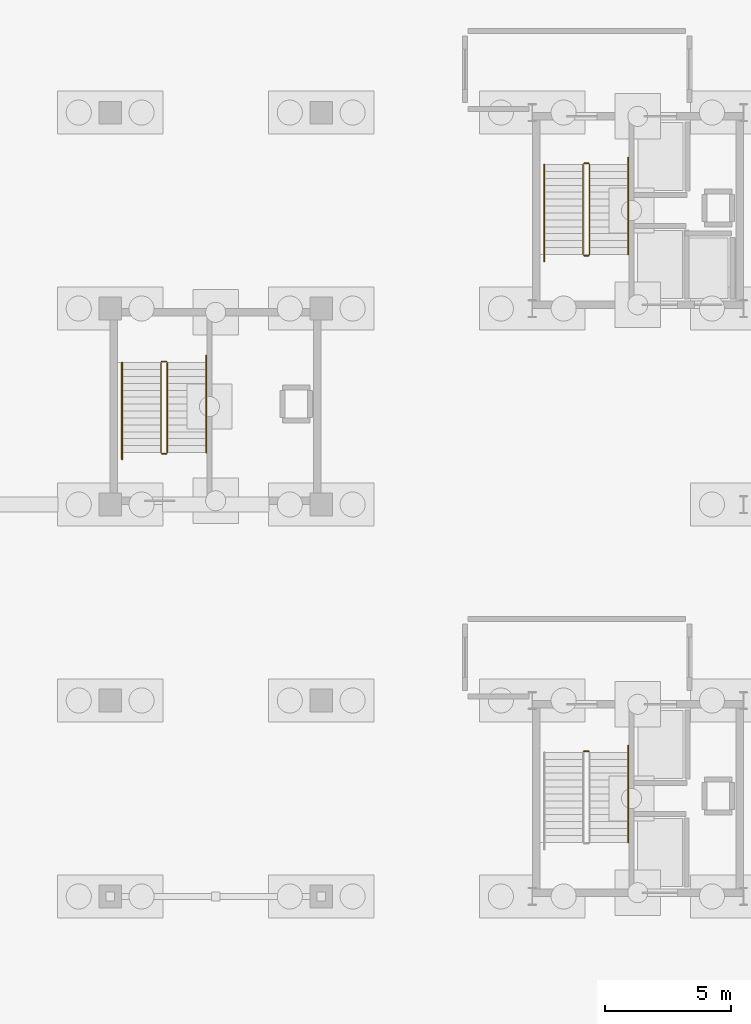
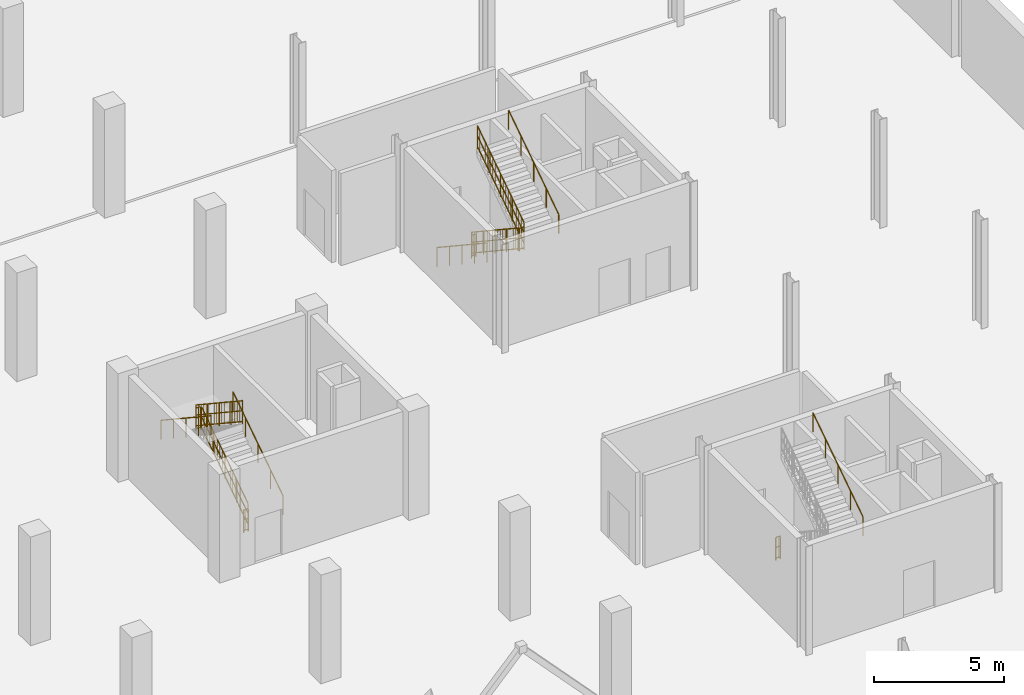
# One storey, part 47 of 48: 14 railings.
"""IFC4 building model written with IfcOpenShell, lengths in metres."""

from ifc_helpers import new_model, si_unit, direction, frame, origin, origin_2d, place, context, subcontext, project, spatial, circle, extrude, material, layer, layer_set, type_object, element, save


model = new_model("IFC4")

# Units and contexts
model_context = context("Model", 3, precision=1e-05, world=origin(), true_north=direction((0.0, 1.0)))
body_context = subcontext(model_context, "Body", "Model", "MODEL_VIEW")
ifc_project = project(units=[si_unit("LENGTHUNIT", "METRE"), si_unit("AREAUNIT", "SQUARE_METRE"), si_unit("VOLUMEUNIT", "CUBIC_METRE"), si_unit("PLANEANGLEUNIT", "RADIAN"), si_unit("MASSUNIT", "GRAM", prefix="KILO")], contexts=[model_context])

# Site, building, storey
site_placement = place(None, origin())
site = spatial("IfcSite", under=ifc_project, at=site_placement, CompositionType="ELEMENT")
building_placement = place(site_placement, origin())
building = spatial("IfcBuilding", under=site, at=building_placement, Name="Nabrawat Pavilion Hospital", CompositionType="ELEMENT")
storey_placement = place(building_placement, frame((0.0, 0.0, -5.10009765625)))
storey = spatial("IfcBuildingStorey", under=building, at=storey_placement, Name="B1", CompositionType="ELEMENT", Elevation=-5.10009765625)

# Railings
ifc_material = material(Name="Stainless Steel 316", Category="steel")
ifc_layer_1 = layer(ifc_material, 0.050048828125, Name="Stainless Steel 316")
ifc_layer_set_1 = layer_set([ifc_layer_1], Name="Stainless Steel 316")
railing_type_1 = type_object("IfcRailingType", Name="Stair Open-Well Safety Guardrail 1100", PredefinedType="GUARDRAIL", material=ifc_layer_set_1)
railing_1_placement = place(storey_placement, frame((170.050048828125, 52.580078125, 0.0)))
element("IfcRailing", 1, at=railing_1_placement, inside=storey, type_object=railing_type_1, Name="B1 ST-05 stair guard 4", PredefinedType="GUARDRAIL", context=body_context, shape_type="SweptSolid", body=[
    extrude(circle(Radius=0.02392578125, at=origin_2d()), frame((0.0, 0.0, 1.076171875), z_axis=(1.0, 0.0, 0.0), x_axis=(0.0, 1.0, 0.0)), (0.0, 0.0, 1.0), 0.199951171875),
    extrude(circle(Radius=0.02392578125, at=origin_2d()), frame((0.0, 0.0, 0.10009765625), z_axis=(1.0, 0.0, 0.0), x_axis=(0.0, 1.0, 0.0)), (0.0, 0.0, 1.0), 0.199951171875),
    extrude(circle(Radius=0.02392578125, at=origin_2d()), frame((0.0, 0.0, 0.60498046875), z_axis=(1.0, 0.0, 0.0), x_axis=(0.0, 1.0, 0.0)), (0.0, 0.0, 1.0), 0.199951171875),
    extrude(circle(Radius=0.008056640625, at=origin_2d()), frame((0.10009765625, 0.0, 0.10009765625)), (0.0, 0.0, 1.0), 0.951904296875),
    extrude(circle(Radius=0.02099609375, at=origin_2d()), origin(), (0.0, 0.0, 1.0), 1.052001953125),
    extrude(circle(Radius=0.02099609375, at=origin_2d()), frame((0.199951171875, 0.0, 0.0)), (0.0, 0.0, 1.0), 1.052001953125),
])
railing_2_placement = place(storey_placement, frame((170.02490234375, 75.929931640625, 0.18212890625)))
element("IfcRailing", 2, at=railing_2_placement, inside=storey, type_object=railing_type_1, Name="B1 ST-06 stair guard 1", PredefinedType="GUARDRAIL", context=body_context, shape_type="SweptSolid", body=[
    extrude(circle(Radius=0.02392578125, at=origin_2d()), frame((0.0, 0.0, 1.076171875), z_axis=(0.0, -0.833702089047, 0.552214475289), x_axis=(1.0, 0.0, 0.0)), (0.0, 0.0, 1.0), 4.2880859375),
    extrude(circle(Radius=0.02392578125, at=origin_2d()), frame((0.0, 0.0, 0.10009765625), z_axis=(0.0, -0.833702089047, 0.552214475289), x_axis=(1.0, 0.0, 0.0)), (0.0, 0.0, 1.0), 4.2880859375),
    extrude(circle(Radius=0.02392578125, at=origin_2d()), frame((0.0, 0.0, 0.60498046875), z_axis=(0.0, -0.833702089047, 0.552214475289), x_axis=(1.0, 0.0, 0.0)), (0.0, 0.0, 1.0), 4.2880859375),
    extrude(circle(Radius=0.008056640625, at=origin_2d()), frame((0.0, -0.19873046875, 0.2314453125)), (0.0, 0.0, 1.0), 0.951904296875),
    extrude(circle(Radius=0.008056640625, at=origin_2d()), frame((0.0, -0.397216796875, 0.363037109375)), (0.0, 0.0, 1.0), 0.951904296875),
    extrude(circle(Radius=0.008056640625, at=origin_2d()), frame((0.0, -0.595703125, 0.49462890625)), (0.0, 0.0, 1.0), 0.951904296875),
    extrude(circle(Radius=0.008056640625, at=origin_2d()), frame((0.0, -0.79443359375, 0.626220703125)), (0.0, 0.0, 1.0), 0.951904296875),
    extrude(circle(Radius=0.008056640625, at=origin_2d()), frame((0.0, -0.9931640625, 0.7578125)), (0.0, 0.0, 1.0), 0.951904296875),
    extrude(circle(Radius=0.008056640625, at=origin_2d()), frame((0.0, -1.191650390625, 0.889404296875)), (0.0, 0.0, 1.0), 0.951904296875),
    extrude(circle(Radius=0.008056640625, at=origin_2d()), frame((0.0, -1.39013671875, 1.020751953125)), (0.0, 0.0, 1.0), 0.951904296875),
    extrude(circle(Radius=0.008056640625, at=origin_2d()), frame((0.0, -1.5888671875, 1.15234375)), (0.0, 0.0, 1.0), 0.951904296875),
    extrude(circle(Radius=0.008056640625, at=origin_2d()), frame((0.0, -1.986083984375, 1.41552734375)), (0.0, 0.0, 1.0), 0.951904296875),
    extrude(circle(Radius=0.008056640625, at=origin_2d()), frame((0.0, -2.1845703125, 1.547119140625)), (0.0, 0.0, 1.0), 0.951904296875),
    extrude(circle(Radius=0.008056640625, at=origin_2d()), frame((0.0, -2.38330078125, 1.6787109375)), (0.0, 0.0, 1.0), 0.951904296875),
    extrude(circle(Radius=0.008056640625, at=origin_2d()), frame((0.0, -2.58203125, 1.81005859375)), (0.0, 0.0, 1.0), 0.951904296875),
    extrude(circle(Radius=0.008056640625, at=origin_2d()), frame((0.0, -2.780517578125, 1.941650390625)), (0.0, 0.0, 1.0), 0.951904296875),
    extrude(circle(Radius=0.008056640625, at=origin_2d()), frame((0.0, -2.97900390625, 2.0732421875)), (0.0, 0.0, 1.0), 0.951904296875),
    extrude(circle(Radius=0.008056640625, at=origin_2d()), frame((0.0, -3.177734375, 2.204833984375)), (0.0, 0.0, 1.0), 0.951904296875),
    extrude(circle(Radius=0.008056640625, at=origin_2d()), frame((0.0, -3.37646484375, 2.33642578125)), (0.0, 0.0, 1.0), 0.951904296875),
    extrude(circle(Radius=0.02099609375, at=origin_2d()), origin(), (0.0, 0.0, 1.0), 1.052001953125),
    extrude(circle(Radius=0.02099609375, at=origin_2d()), frame((0.0, -0.893798828125, 0.592041015625)), (0.0, 0.0, 1.0), 1.052001953125),
    extrude(circle(Radius=0.02099609375, at=origin_2d()), frame((0.0, -1.78759765625, 1.18408203125)), (0.0, 0.0, 1.0), 1.052001953125),
    extrude(circle(Radius=0.02099609375, at=origin_2d()), frame((0.0, -2.68115234375, 1.77587890625)), (0.0, 0.0, 1.0), 1.052001953125),
    extrude(circle(Radius=0.02099609375, at=origin_2d()), frame((0.0, -3.574951171875, 2.367919921875)), (0.0, 0.0, 1.0), 1.052001953125),
])
railing_3_placement = place(storey_placement, frame((170.050048828125, 72.304931640625, 2.550048828125)))
element("IfcRailing", 3, at=railing_3_placement, inside=storey, type_object=railing_type_1, Name="B1 ST-06 stair guard 2", PredefinedType="GUARDRAIL", context=body_context, shape_type="SweptSolid", body=[
    extrude(circle(Radius=0.02392578125, at=origin_2d()), frame((0.0, 0.0, 1.076171875), z_axis=(1.0, 0.0, 0.0), x_axis=(0.0, 1.0, 0.0)), (0.0, 0.0, 1.0), 0.199951171875),
    extrude(circle(Radius=0.02392578125, at=origin_2d()), frame((0.0, 0.0, 0.10009765625), z_axis=(1.0, 0.0, 0.0), x_axis=(0.0, 1.0, 0.0)), (0.0, 0.0, 1.0), 0.199951171875),
    extrude(circle(Radius=0.02392578125, at=origin_2d()), frame((0.0, 0.0, 0.60498046875), z_axis=(1.0, 0.0, 0.0), x_axis=(0.0, 1.0, 0.0)), (0.0, 0.0, 1.0), 0.199951171875),
    extrude(circle(Radius=0.008056640625, at=origin_2d()), frame((0.10009765625, 0.0, 0.10009765625)), (0.0, 0.0, 1.0), 0.951904296875),
    extrude(circle(Radius=0.02099609375, at=origin_2d()), origin(), (0.0, 0.0, 1.0), 1.052001953125),
    extrude(circle(Radius=0.02099609375, at=origin_2d()), frame((0.199951171875, 0.0, 0.0)), (0.0, 0.0, 1.0), 1.052001953125),
])
railing_4_placement = place(storey_placement, frame((170.27490234375, 72.35498046875, 2.732177734375)))
element("IfcRailing", 4, at=railing_4_placement, inside=storey, type_object=railing_type_1, Name="B1 ST-06 stair guard 3", PredefinedType="GUARDRAIL", context=body_context, shape_type="SweptSolid", body=[
    extrude(circle(Radius=0.02392578125, at=origin_2d()), frame((0.0, 0.0, 1.076171875), z_axis=(0.0, 0.833702089047, 0.552214475289), x_axis=(-1.0, 0.0, 0.0)), (0.0, 0.0, 1.0), 4.2880859375),
    extrude(circle(Radius=0.02392578125, at=origin_2d()), frame((0.0, 0.0, 0.10009765625), z_axis=(0.0, 0.833702089047, 0.552214475289), x_axis=(-1.0, 0.0, 0.0)), (0.0, 0.0, 1.0), 4.2880859375),
    extrude(circle(Radius=0.02392578125, at=origin_2d()), frame((0.0, 0.0, 0.60498046875), z_axis=(0.0, 0.833702089047, 0.552214475289), x_axis=(-1.0, 0.0, 0.0)), (0.0, 0.0, 1.0), 4.2880859375),
    extrude(circle(Radius=0.008056640625, at=origin_2d()), frame((0.0, 0.19873046875, 0.2314453125)), (0.0, 0.0, 1.0), 0.951904296875),
    extrude(circle(Radius=0.008056640625, at=origin_2d()), frame((0.0, 0.397216796875, 0.363037109375)), (0.0, 0.0, 1.0), 0.951904296875),
    extrude(circle(Radius=0.008056640625, at=origin_2d()), frame((0.0, 0.595703125, 0.49462890625)), (0.0, 0.0, 1.0), 0.951904296875),
    extrude(circle(Radius=0.008056640625, at=origin_2d()), frame((0.0, 0.79443359375, 0.626220703125)), (0.0, 0.0, 1.0), 0.951904296875),
    extrude(circle(Radius=0.008056640625, at=origin_2d()), frame((0.0, 0.9931640625, 0.7578125)), (0.0, 0.0, 1.0), 0.951904296875),
    extrude(circle(Radius=0.008056640625, at=origin_2d()), frame((0.0, 1.191650390625, 0.889404296875)), (0.0, 0.0, 1.0), 0.951904296875),
    extrude(circle(Radius=0.008056640625, at=origin_2d()), frame((0.0, 1.39013671875, 1.020751953125)), (0.0, 0.0, 1.0), 0.951904296875),
    extrude(circle(Radius=0.008056640625, at=origin_2d()), frame((0.0, 1.5888671875, 1.15234375)), (0.0, 0.0, 1.0), 0.951904296875),
    extrude(circle(Radius=0.008056640625, at=origin_2d()), frame((0.0, 1.986083984375, 1.41552734375)), (0.0, 0.0, 1.0), 0.951904296875),
    extrude(circle(Radius=0.008056640625, at=origin_2d()), frame((0.0, 2.1845703125, 1.547119140625)), (0.0, 0.0, 1.0), 0.951904296875),
    extrude(circle(Radius=0.008056640625, at=origin_2d()), frame((0.0, 2.38330078125, 1.6787109375)), (0.0, 0.0, 1.0), 0.951904296875),
    extrude(circle(Radius=0.008056640625, at=origin_2d()), frame((0.0, 2.58203125, 1.81005859375)), (0.0, 0.0, 1.0), 0.951904296875),
    extrude(circle(Radius=0.008056640625, at=origin_2d()), frame((0.0, 2.780517578125, 1.941650390625)), (0.0, 0.0, 1.0), 0.951904296875),
    extrude(circle(Radius=0.008056640625, at=origin_2d()), frame((0.0, 2.97900390625, 2.0732421875)), (0.0, 0.0, 1.0), 0.951904296875),
    extrude(circle(Radius=0.008056640625, at=origin_2d()), frame((0.0, 3.177734375, 2.204833984375)), (0.0, 0.0, 1.0), 0.951904296875),
    extrude(circle(Radius=0.008056640625, at=origin_2d()), frame((0.0, 3.37646484375, 2.33642578125)), (0.0, 0.0, 1.0), 0.951904296875),
    extrude(circle(Radius=0.02099609375, at=origin_2d()), origin(), (0.0, 0.0, 1.0), 1.052001953125),
    extrude(circle(Radius=0.02099609375, at=origin_2d()), frame((0.0, 0.893798828125, 0.592041015625)), (0.0, 0.0, 1.0), 1.052001953125),
    extrude(circle(Radius=0.02099609375, at=origin_2d()), frame((0.0, 1.78759765625, 1.18408203125)), (0.0, 0.0, 1.0), 1.052001953125),
    extrude(circle(Radius=0.02099609375, at=origin_2d()), frame((0.0, 2.68115234375, 1.77587890625)), (0.0, 0.0, 1.0), 1.052001953125),
    extrude(circle(Radius=0.02099609375, at=origin_2d()), frame((0.0, 3.574951171875, 2.367919921875)), (0.0, 0.0, 1.0), 1.052001953125),
])
railing_5_placement = place(storey_placement, frame((170.050048828125, 75.97998046875, 0.0)))
element("IfcRailing", 5, at=railing_5_placement, inside=storey, type_object=railing_type_1, Name="B1 ST-06 stair guard 4", PredefinedType="GUARDRAIL", context=body_context, shape_type="SweptSolid", body=[
    extrude(circle(Radius=0.02392578125, at=origin_2d()), frame((0.0, 0.0, 1.076171875), z_axis=(1.0, 0.0, 0.0), x_axis=(0.0, 1.0, 0.0)), (0.0, 0.0, 1.0), 0.199951171875),
    extrude(circle(Radius=0.02392578125, at=origin_2d()), frame((0.0, 0.0, 0.10009765625), z_axis=(1.0, 0.0, 0.0), x_axis=(0.0, 1.0, 0.0)), (0.0, 0.0, 1.0), 0.199951171875),
    extrude(circle(Radius=0.02392578125, at=origin_2d()), frame((0.0, 0.0, 0.60498046875), z_axis=(1.0, 0.0, 0.0), x_axis=(0.0, 1.0, 0.0)), (0.0, 0.0, 1.0), 0.199951171875),
    extrude(circle(Radius=0.008056640625, at=origin_2d()), frame((0.10009765625, 0.0, 0.10009765625)), (0.0, 0.0, 1.0), 0.951904296875),
    extrude(circle(Radius=0.02099609375, at=origin_2d()), origin(), (0.0, 0.0, 1.0), 1.052001953125),
    extrude(circle(Radius=0.02099609375, at=origin_2d()), frame((0.199951171875, 0.0, 0.0)), (0.0, 0.0, 1.0), 1.052001953125),
])
railing_6_placement = place(storey_placement, frame((153.47509765625, 64.469970703125, 0.18212890625)))
element("IfcRailing", 6, at=railing_6_placement, inside=storey, type_object=railing_type_1, Name="B1 ST-09 stair guard 1", PredefinedType="GUARDRAIL", context=body_context, shape_type="SweptSolid", body=[
    extrude(circle(Radius=0.02392578125, at=origin_2d()), frame((0.0, 0.0, 1.076171875), z_axis=(0.0, 0.833702089047, 0.552214475289), x_axis=(-1.0, 0.0, 0.0)), (0.0, 0.0, 1.0), 4.2880859375),
    extrude(circle(Radius=0.02392578125, at=origin_2d()), frame((0.0, 0.0, 0.10009765625), z_axis=(0.0, 0.833702089047, 0.552214475289), x_axis=(-1.0, 0.0, 0.0)), (0.0, 0.0, 1.0), 4.2880859375),
    extrude(circle(Radius=0.02392578125, at=origin_2d()), frame((0.0, 0.0, 0.60498046875), z_axis=(0.0, 0.833702089047, 0.552214475289), x_axis=(-1.0, 0.0, 0.0)), (0.0, 0.0, 1.0), 4.2880859375),
    extrude(circle(Radius=0.008056640625, at=origin_2d()), frame((0.0, 0.19873046875, 0.2314453125)), (0.0, 0.0, 1.0), 0.951904296875),
    extrude(circle(Radius=0.008056640625, at=origin_2d()), frame((0.0, 0.397216796875, 0.363037109375)), (0.0, 0.0, 1.0), 0.951904296875),
    extrude(circle(Radius=0.008056640625, at=origin_2d()), frame((0.0, 0.595703125, 0.49462890625)), (0.0, 0.0, 1.0), 0.951904296875),
    extrude(circle(Radius=0.008056640625, at=origin_2d()), frame((0.0, 0.79443359375, 0.626220703125)), (0.0, 0.0, 1.0), 0.951904296875),
    extrude(circle(Radius=0.008056640625, at=origin_2d()), frame((0.0, 0.9931640625, 0.7578125)), (0.0, 0.0, 1.0), 0.951904296875),
    extrude(circle(Radius=0.008056640625, at=origin_2d()), frame((0.0, 1.191650390625, 0.889404296875)), (0.0, 0.0, 1.0), 0.951904296875),
    extrude(circle(Radius=0.008056640625, at=origin_2d()), frame((0.0, 1.39013671875, 1.020751953125)), (0.0, 0.0, 1.0), 0.951904296875),
    extrude(circle(Radius=0.008056640625, at=origin_2d()), frame((0.0, 1.5888671875, 1.15234375)), (0.0, 0.0, 1.0), 0.951904296875),
    extrude(circle(Radius=0.008056640625, at=origin_2d()), frame((0.0, 1.986083984375, 1.41552734375)), (0.0, 0.0, 1.0), 0.951904296875),
    extrude(circle(Radius=0.008056640625, at=origin_2d()), frame((0.0, 2.1845703125, 1.547119140625)), (0.0, 0.0, 1.0), 0.951904296875),
    extrude(circle(Radius=0.008056640625, at=origin_2d()), frame((0.0, 2.38330078125, 1.6787109375)), (0.0, 0.0, 1.0), 0.951904296875),
    extrude(circle(Radius=0.008056640625, at=origin_2d()), frame((0.0, 2.58203125, 1.81005859375)), (0.0, 0.0, 1.0), 0.951904296875),
    extrude(circle(Radius=0.008056640625, at=origin_2d()), frame((0.0, 2.780517578125, 1.941650390625)), (0.0, 0.0, 1.0), 0.951904296875),
    extrude(circle(Radius=0.008056640625, at=origin_2d()), frame((0.0, 2.97900390625, 2.0732421875)), (0.0, 0.0, 1.0), 0.951904296875),
    extrude(circle(Radius=0.008056640625, at=origin_2d()), frame((0.0, 3.177734375, 2.204833984375)), (0.0, 0.0, 1.0), 0.951904296875),
    extrude(circle(Radius=0.008056640625, at=origin_2d()), frame((0.0, 3.37646484375, 2.33642578125)), (0.0, 0.0, 1.0), 0.951904296875),
    extrude(circle(Radius=0.02099609375, at=origin_2d()), origin(), (0.0, 0.0, 1.0), 1.052001953125),
    extrude(circle(Radius=0.02099609375, at=origin_2d()), frame((0.0, 0.893798828125, 0.592041015625)), (0.0, 0.0, 1.0), 1.052001953125),
    extrude(circle(Radius=0.02099609375, at=origin_2d()), frame((0.0, 1.78759765625, 1.18408203125)), (0.0, 0.0, 1.0), 1.052001953125),
    extrude(circle(Radius=0.02099609375, at=origin_2d()), frame((0.0, 2.68115234375, 1.77587890625)), (0.0, 0.0, 1.0), 1.052001953125),
    extrude(circle(Radius=0.02099609375, at=origin_2d()), frame((0.0, 3.574951171875, 2.367919921875)), (0.0, 0.0, 1.0), 1.052001953125),
])
railing_7_placement = place(storey_placement, frame((153.449951171875, 68.094970703125, 2.550048828125)))
element("IfcRailing", 7, at=railing_7_placement, inside=storey, type_object=railing_type_1, Name="B1 ST-09 stair guard 2", PredefinedType="GUARDRAIL", context=body_context, shape_type="SweptSolid", body=[
    extrude(circle(Radius=0.02392578125, at=origin_2d()), frame((0.0, 0.0, 1.076171875), z_axis=(-1.0, 0.0, 0.0), x_axis=(0.0, -1.0, 0.0)), (0.0, 0.0, 1.0), 0.199951171875),
    extrude(circle(Radius=0.02392578125, at=origin_2d()), frame((0.0, 0.0, 0.10009765625), z_axis=(-1.0, 0.0, 0.0), x_axis=(0.0, -1.0, 0.0)), (0.0, 0.0, 1.0), 0.199951171875),
    extrude(circle(Radius=0.02392578125, at=origin_2d()), frame((0.0, 0.0, 0.60498046875), z_axis=(-1.0, 0.0, 0.0), x_axis=(0.0, -1.0, 0.0)), (0.0, 0.0, 1.0), 0.199951171875),
    extrude(circle(Radius=0.008056640625, at=origin_2d()), frame((-0.10009765625, 0.0, 0.10009765625)), (0.0, 0.0, 1.0), 0.951904296875),
    extrude(circle(Radius=0.02099609375, at=origin_2d()), origin(), (0.0, 0.0, 1.0), 1.052001953125),
    extrude(circle(Radius=0.02099609375, at=origin_2d()), frame((-0.199951171875, 0.0, 0.0)), (0.0, 0.0, 1.0), 1.052001953125),
])
railing_8_placement = place(storey_placement, frame((153.22509765625, 68.044921875, 2.732177734375)))
element("IfcRailing", 8, at=railing_8_placement, inside=storey, type_object=railing_type_1, Name="B1 ST-09 stair guard 3", PredefinedType="GUARDRAIL", context=body_context, shape_type="SweptSolid", body=[
    extrude(circle(Radius=0.02392578125, at=origin_2d()), frame((0.0, 0.0, 1.076171875), z_axis=(0.0, -0.833702089047, 0.552214475289), x_axis=(1.0, 0.0, 0.0)), (0.0, 0.0, 1.0), 4.2880859375),
    extrude(circle(Radius=0.02392578125, at=origin_2d()), frame((0.0, 0.0, 0.10009765625), z_axis=(0.0, -0.833702089047, 0.552214475289), x_axis=(1.0, 0.0, 0.0)), (0.0, 0.0, 1.0), 4.2880859375),
    extrude(circle(Radius=0.02392578125, at=origin_2d()), frame((0.0, 0.0, 0.60498046875), z_axis=(0.0, -0.833702089047, 0.552214475289), x_axis=(1.0, 0.0, 0.0)), (0.0, 0.0, 1.0), 4.2880859375),
    extrude(circle(Radius=0.008056640625, at=origin_2d()), frame((0.0, -0.19873046875, 0.2314453125)), (0.0, 0.0, 1.0), 0.951904296875),
    extrude(circle(Radius=0.008056640625, at=origin_2d()), frame((0.0, -0.397216796875, 0.363037109375)), (0.0, 0.0, 1.0), 0.951904296875),
    extrude(circle(Radius=0.008056640625, at=origin_2d()), frame((0.0, -0.595703125, 0.49462890625)), (0.0, 0.0, 1.0), 0.951904296875),
    extrude(circle(Radius=0.008056640625, at=origin_2d()), frame((0.0, -0.79443359375, 0.626220703125)), (0.0, 0.0, 1.0), 0.951904296875),
    extrude(circle(Radius=0.008056640625, at=origin_2d()), frame((0.0, -0.9931640625, 0.7578125)), (0.0, 0.0, 1.0), 0.951904296875),
    extrude(circle(Radius=0.008056640625, at=origin_2d()), frame((0.0, -1.191650390625, 0.889404296875)), (0.0, 0.0, 1.0), 0.951904296875),
    extrude(circle(Radius=0.008056640625, at=origin_2d()), frame((0.0, -1.39013671875, 1.020751953125)), (0.0, 0.0, 1.0), 0.951904296875),
    extrude(circle(Radius=0.008056640625, at=origin_2d()), frame((0.0, -1.5888671875, 1.15234375)), (0.0, 0.0, 1.0), 0.951904296875),
    extrude(circle(Radius=0.008056640625, at=origin_2d()), frame((0.0, -1.986083984375, 1.41552734375)), (0.0, 0.0, 1.0), 0.951904296875),
    extrude(circle(Radius=0.008056640625, at=origin_2d()), frame((0.0, -2.1845703125, 1.547119140625)), (0.0, 0.0, 1.0), 0.951904296875),
    extrude(circle(Radius=0.008056640625, at=origin_2d()), frame((0.0, -2.38330078125, 1.6787109375)), (0.0, 0.0, 1.0), 0.951904296875),
    extrude(circle(Radius=0.008056640625, at=origin_2d()), frame((0.0, -2.58203125, 1.81005859375)), (0.0, 0.0, 1.0), 0.951904296875),
    extrude(circle(Radius=0.008056640625, at=origin_2d()), frame((0.0, -2.780517578125, 1.941650390625)), (0.0, 0.0, 1.0), 0.951904296875),
    extrude(circle(Radius=0.008056640625, at=origin_2d()), frame((0.0, -2.97900390625, 2.0732421875)), (0.0, 0.0, 1.0), 0.951904296875),
    extrude(circle(Radius=0.008056640625, at=origin_2d()), frame((0.0, -3.177734375, 2.204833984375)), (0.0, 0.0, 1.0), 0.951904296875),
    extrude(circle(Radius=0.008056640625, at=origin_2d()), frame((0.0, -3.37646484375, 2.33642578125)), (0.0, 0.0, 1.0), 0.951904296875),
    extrude(circle(Radius=0.02099609375, at=origin_2d()), origin(), (0.0, 0.0, 1.0), 1.052001953125),
    extrude(circle(Radius=0.02099609375, at=origin_2d()), frame((0.0, -0.893798828125, 0.592041015625)), (0.0, 0.0, 1.0), 1.052001953125),
    extrude(circle(Radius=0.02099609375, at=origin_2d()), frame((0.0, -1.78759765625, 1.18408203125)), (0.0, 0.0, 1.0), 1.052001953125),
    extrude(circle(Radius=0.02099609375, at=origin_2d()), frame((0.0, -2.68115234375, 1.77587890625)), (0.0, 0.0, 1.0), 1.052001953125),
    extrude(circle(Radius=0.02099609375, at=origin_2d()), frame((0.0, -3.574951171875, 2.367919921875)), (0.0, 0.0, 1.0), 1.052001953125),
])
railing_9_placement = place(storey_placement, frame((153.449951171875, 64.419921875, 0.0)))
element("IfcRailing", 9, at=railing_9_placement, inside=storey, type_object=railing_type_1, Name="B1 ST-09 stair guard 4", PredefinedType="GUARDRAIL", context=body_context, shape_type="SweptSolid", body=[
    extrude(circle(Radius=0.02392578125, at=origin_2d()), frame((0.0, 0.0, 1.076171875), z_axis=(-1.0, 0.0, 0.0), x_axis=(0.0, -1.0, 0.0)), (0.0, 0.0, 1.0), 0.199951171875),
    extrude(circle(Radius=0.02392578125, at=origin_2d()), frame((0.0, 0.0, 0.10009765625), z_axis=(-1.0, 0.0, 0.0), x_axis=(0.0, -1.0, 0.0)), (0.0, 0.0, 1.0), 0.199951171875),
    extrude(circle(Radius=0.02392578125, at=origin_2d()), frame((0.0, 0.0, 0.60498046875), z_axis=(-1.0, 0.0, 0.0), x_axis=(0.0, -1.0, 0.0)), (0.0, 0.0, 1.0), 0.199951171875),
    extrude(circle(Radius=0.008056640625, at=origin_2d()), frame((-0.10009765625, 0.0, 0.10009765625)), (0.0, 0.0, 1.0), 0.951904296875),
    extrude(circle(Radius=0.02099609375, at=origin_2d()), origin(), (0.0, 0.0, 1.0), 1.052001953125),
    extrude(circle(Radius=0.02099609375, at=origin_2d()), frame((-0.199951171875, 0.0, 0.0)), (0.0, 0.0, 1.0), 1.052001953125),
])
ifc_layer_2 = layer(ifc_material, 0.044921875, Name="Stainless Steel 316")
ifc_layer_set_2 = layer_set([ifc_layer_2], Name="Stainless Steel 316")
railing_type_2 = type_object("IfcRailingType", Name="Stair Pitch Continuous Handrail 920", PredefinedType="HANDRAIL", material=ifc_layer_set_2)
railing_10_placement = place(storey_placement, frame((171.824951171875, 48.955078125, 2.736328125)))
element("IfcRailing", 10, at=railing_10_placement, inside=storey, type_object=railing_type_2, Name="B1 ST-05 stair handrail 2", PredefinedType="HANDRAIL", context=body_context, shape_type="SweptSolid", body=[
    extrude(circle(Radius=0.02392578125, at=origin_2d()), frame((0.0, 0.0, 0.89599609375), z_axis=(0.0, 0.833722100762, 0.552184261548), x_axis=(-1.0, 0.0, 0.0)), (0.0, 0.0, 1.0), 4.61767578125),
    extrude(circle(Radius=0.02099609375, at=origin_2d()), origin(), (0.0, 0.0, 1.0), 0.871826171875),
    extrude(circle(Radius=0.02099609375, at=origin_2d()), frame((0.0, 0.96240234375, 0.637451171875)), (0.0, 0.0, 1.0), 0.871826171875),
    extrude(circle(Radius=0.02099609375, at=origin_2d()), frame((0.0, 1.9248046875, 1.27490234375)), (0.0, 0.0, 1.0), 0.871826171875),
    extrude(circle(Radius=0.02099609375, at=origin_2d()), frame((0.0, 2.887451171875, 1.912353515625)), (0.0, 0.0, 1.0), 0.871826171875),
    extrude(circle(Radius=0.02099609375, at=origin_2d()), frame((0.0, 3.849853515625, 2.5498046875)), (0.0, 0.0, 1.0), 0.871826171875),
])
railing_11_placement = place(storey_placement, frame((168.47509765625, 75.929931640625, 0.186279296875)))
element("IfcRailing", 11, at=railing_11_placement, inside=storey, type_object=railing_type_2, Name="B1 ST-06 stair handrail 1", PredefinedType="HANDRAIL", context=body_context, shape_type="SweptSolid", body=[
    extrude(circle(Radius=0.02392578125, at=origin_2d()), frame((0.0, 0.0, 0.89599609375), z_axis=(0.0, -0.833697760554, 0.552221010146), x_axis=(1.0, 0.0, 0.0)), (0.0, 0.0, 1.0), 4.617919921875),
    extrude(circle(Radius=0.02099609375, at=origin_2d()), origin(), (0.0, 0.0, 1.0), 0.871826171875),
    extrude(circle(Radius=0.02099609375, at=origin_2d()), frame((0.0, -0.96240234375, 0.637451171875)), (0.0, 0.0, 1.0), 0.871826171875),
    extrude(circle(Radius=0.02099609375, at=origin_2d()), frame((0.0, -1.9248046875, 1.27490234375)), (0.0, 0.0, 1.0), 0.871826171875),
    extrude(circle(Radius=0.02099609375, at=origin_2d()), frame((0.0, -2.887451171875, 1.91259765625)), (0.0, 0.0, 1.0), 0.871826171875),
    extrude(circle(Radius=0.02099609375, at=origin_2d()), frame((0.0, -3.849853515625, 2.550048828125)), (0.0, 0.0, 1.0), 0.871826171875),
])
railing_12_placement = place(storey_placement, frame((171.824951171875, 72.35498046875, 2.736328125)))
element("IfcRailing", 12, at=railing_12_placement, inside=storey, type_object=railing_type_2, Name="B1 ST-06 stair handrail 2", PredefinedType="HANDRAIL", context=body_context, shape_type="SweptSolid", body=[
    extrude(circle(Radius=0.02392578125, at=origin_2d()), frame((0.0, 0.0, 0.89599609375), z_axis=(0.0, 0.833738220445, 0.552159922278), x_axis=(-1.0, 0.0, 0.0)), (0.0, 0.0, 1.0), 4.617919921875),
    extrude(circle(Radius=0.02099609375, at=origin_2d()), origin(), (0.0, 0.0, 1.0), 0.871826171875),
    extrude(circle(Radius=0.02099609375, at=origin_2d()), frame((0.0, 0.96240234375, 0.637451171875)), (0.0, 0.0, 1.0), 0.871826171875),
    extrude(circle(Radius=0.02099609375, at=origin_2d()), frame((0.0, 1.925048828125, 1.27490234375)), (0.0, 0.0, 1.0), 0.871826171875),
    extrude(circle(Radius=0.02099609375, at=origin_2d()), frame((0.0, 2.8876953125, 1.912353515625)), (0.0, 0.0, 1.0), 0.871826171875),
    extrude(circle(Radius=0.02099609375, at=origin_2d()), frame((0.0, 3.85009765625, 2.5498046875)), (0.0, 0.0, 1.0), 0.871826171875),
])
railing_13_placement = place(storey_placement, frame((155.02490234375, 64.469970703125, 0.186279296875)))
element("IfcRailing", 13, at=railing_13_placement, inside=storey, type_object=railing_type_2, Name="B1 ST-09 stair handrail 1", PredefinedType="HANDRAIL", context=body_context, shape_type="SweptSolid", body=[
    extrude(circle(Radius=0.02392578125, at=origin_2d()), frame((0.0, 0.0, 0.89599609375), z_axis=(0.0, 0.833713881912, 0.552196670677), x_axis=(-1.0, 0.0, 0.0)), (0.0, 0.0, 1.0), 4.617919921875),
    extrude(circle(Radius=0.02099609375, at=origin_2d()), origin(), (0.0, 0.0, 1.0), 0.871826171875),
    extrude(circle(Radius=0.02099609375, at=origin_2d()), frame((0.0, 0.96240234375, 0.637451171875)), (0.0, 0.0, 1.0), 0.871826171875),
    extrude(circle(Radius=0.02099609375, at=origin_2d()), frame((0.0, 1.925048828125, 1.27490234375)), (0.0, 0.0, 1.0), 0.871826171875),
    extrude(circle(Radius=0.02099609375, at=origin_2d()), frame((0.0, 2.8876953125, 1.91259765625)), (0.0, 0.0, 1.0), 0.871826171875),
    extrude(circle(Radius=0.02099609375, at=origin_2d()), frame((0.0, 3.85009765625, 2.550048828125)), (0.0, 0.0, 1.0), 0.871826171875),
])
railing_14_placement = place(storey_placement, frame((151.675048828125, 68.044921875, 2.736328125)))
element("IfcRailing", 14, at=railing_14_placement, inside=storey, type_object=railing_type_2, Name="B1 ST-09 stair handrail 2", PredefinedType="HANDRAIL", context=body_context, shape_type="SweptSolid", body=[
    extrude(circle(Radius=0.02392578125, at=origin_2d()), frame((0.0, 0.0, 0.89599609375), z_axis=(0.0, -0.833722100762, 0.552184261548), x_axis=(1.0, 0.0, 0.0)), (0.0, 0.0, 1.0), 4.61767578125),
    extrude(circle(Radius=0.02099609375, at=origin_2d()), origin(), (0.0, 0.0, 1.0), 0.871826171875),
    extrude(circle(Radius=0.02099609375, at=origin_2d()), frame((0.0, -0.96240234375, 0.637451171875)), (0.0, 0.0, 1.0), 0.871826171875),
    extrude(circle(Radius=0.02099609375, at=origin_2d()), frame((0.0, -1.9248046875, 1.27490234375)), (0.0, 0.0, 1.0), 0.871826171875),
    extrude(circle(Radius=0.02099609375, at=origin_2d()), frame((0.0, -2.887451171875, 1.912353515625)), (0.0, 0.0, 1.0), 0.871826171875),
    extrude(circle(Radius=0.02099609375, at=origin_2d()), frame((0.0, -3.849853515625, 2.5498046875)), (0.0, 0.0, 1.0), 0.871826171875),
])

save(model, "model.ifc")
